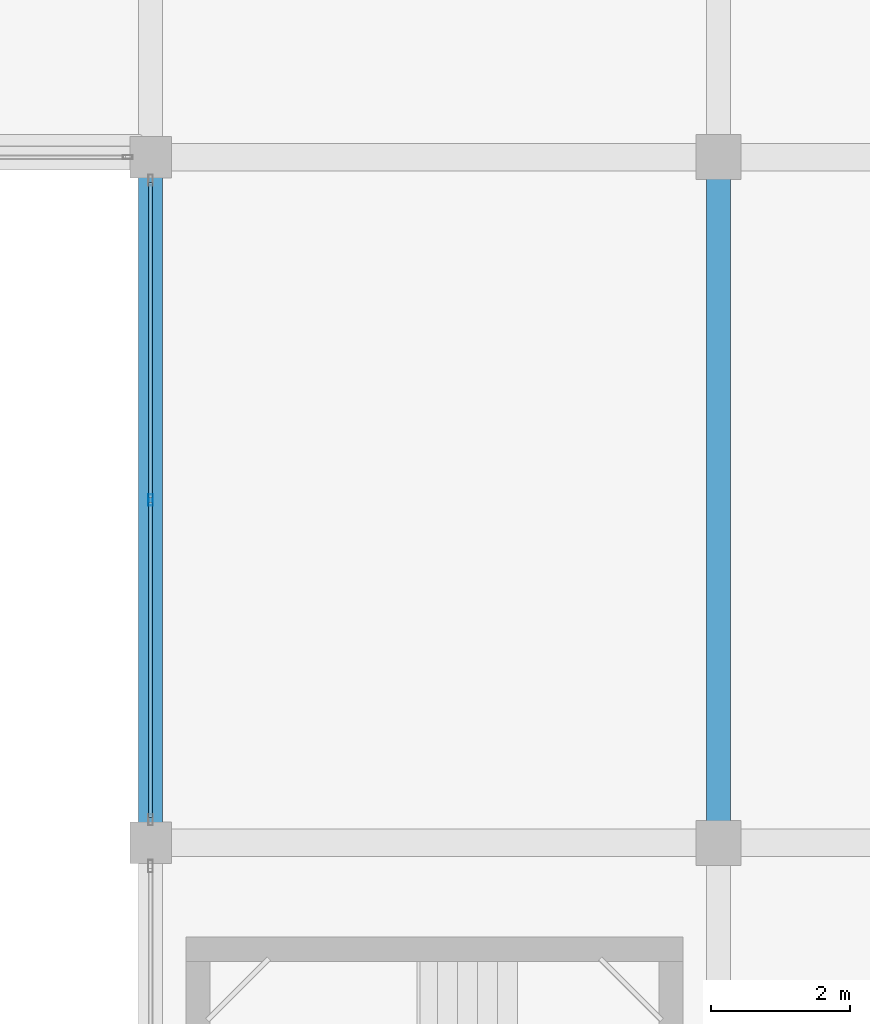
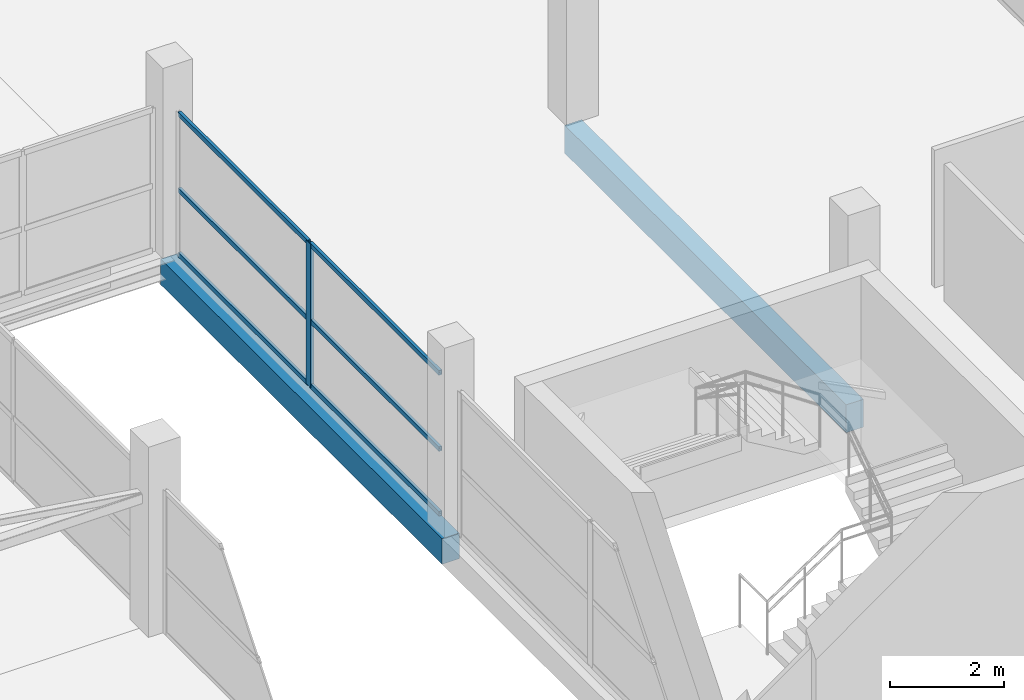
# One storey, part 37 of 70: 7 members, 2 beams, 1 element without a shape of its own.
"""IFC4 building model written with IfcOpenShell, lengths in metres."""

from ifc_helpers import new_model, si_unit, direction, frame, origin, origin_2d, place, context, subcontext, project, spatial, rectangle, hollow_rectangle, extrude, material, layer, layer_set, material_profile, profile_set, type_object, element, aggregate, save


model = new_model("IFC4")

# Units and contexts
model_context = context("Model", 3, precision=1e-05, world=origin(), true_north=direction((0.0, 1.0)))
body_context = subcontext(model_context, "Body", "Model", "MODEL_VIEW")
ifc_project = project(units=[si_unit("LENGTHUNIT", "METRE"), si_unit("AREAUNIT", "SQUARE_METRE"), si_unit("VOLUMEUNIT", "CUBIC_METRE"), si_unit("PLANEANGLEUNIT", "RADIAN"), si_unit("MASSUNIT", "GRAM", prefix="KILO")], contexts=[model_context])

# Site, building, storey
site_placement = place(None, origin())
site = spatial("IfcSite", under=ifc_project, at=site_placement, CompositionType="ELEMENT")
building_placement = place(site_placement, origin())
building = spatial("IfcBuilding", under=site, at=building_placement, Name="Sillaruma Civic Art Gallery", CompositionType="ELEMENT")
storey_placement = place(building_placement, frame((0.0, 0.0, 66.300048828125)))
storey = spatial("IfcBuildingStorey", under=building, at=storey_placement, Name="L13", CompositionType="ELEMENT", Elevation=66.300048828125)

# Beams
ifc_material_1 = material(Name="Concrete H35 (35 MPa)", Category="concrete")
ifc_material_profile_1 = material_profile(ifc_material_1, rectangle(XDim=0.35009765625, YDim=0.60009765625, at=origin_2d()), Name="RCB350x600")
ifc_profile_set_1 = profile_set([ifc_material_profile_1], Name="Concrete H35 (35 MPa)")
beam_type_1 = type_object("IfcBeamType", Name="BM-BEAM-RCB350x600", PredefinedType="BEAM", material=ifc_profile_set_1)
beam_1_placement = place(storey_placement, frame((106.199951171875, 59.39990234375, -0.530029296875), z_axis=(0.0, 1.0, 0.0), x_axis=(-1.0, 0.0, 0.0)))
element("IfcBeam", 1, at=beam_1_placement, inside=storey, type_object=beam_type_1, Name="Beam BM-06 (L12:M:7-8)", PredefinedType="BEAM", context=body_context, shape_type="SweptSolid", body=[
    extrude(rectangle(XDim=0.35009765625, YDim=0.60009765625, at=origin_2d()), origin(), (0.0, 0.0, 1.0), 9.900146484375),
])
ifc_material_profile_2 = material_profile(ifc_material_1, rectangle(XDim=0.35009765625, YDim=0.550048828125, at=origin_2d()), Name="RCB350x550")
ifc_profile_set_2 = profile_set([ifc_material_profile_2], Name="Concrete H35 (35 MPa)")
beam_type_2 = type_object("IfcBeamType", Name="BM-SPANDREL-RCB350x550", PredefinedType="SPANDREL", material=ifc_profile_set_2)
beam_2_placement = place(storey_placement, frame((98.0, 59.39990234375, -0.505126953125), z_axis=(0.0, 1.0, 0.0), x_axis=(-1.0, 0.0, 0.0)))
element("IfcBeam", 2, at=beam_2_placement, inside=storey, type_object=beam_type_2, Name="Beam BS-04 (L12:L:7-8)", PredefinedType="SPANDREL", context=body_context, shape_type="SweptSolid", body=[
    extrude(rectangle(XDim=0.35009765625, YDim=0.550048828125, at=origin_2d()), origin(), (0.0, 0.0, 1.0), 9.900146484375),
])

# Curtain wall, members
ifc_material_2 = material(Name="Thermally Broken Extruded Aluminium 6063-T6", Category="aluminium")
ifc_layer = layer(ifc_material_2, 0.159912109375, Name="Thermally Broken Extruded Aluminium 6063-T6")
ifc_layer_set = layer_set([ifc_layer], Name="Thermally Broken Extruded Aluminium 6063-T6")
curtain_wall_type = type_object("IfcCurtainWallType", Name="CW-UNI-97", PredefinedType="NOTDEFINED", material=ifc_layer_set)
curtain_wall_placement = place(storey_placement, origin())
curtain_wall = element("IfcCurtainWall", 3, at=curtain_wall_placement, inside=storey, type_object=curtain_wall_type, Name="Unitised Curtain Wall CW-97 (CW-L13-EBW-5)", PredefinedType="NOTDEFINED")
ifc_material_profile_3 = material_profile(ifc_material_2, hollow_rectangle(XDim=0.06494140625, YDim=0.159912109375, WallThickness=0.00390625, at=origin_2d()), Name="CWM65x160")
ifc_profile_set_3 = profile_set([ifc_material_profile_3], Name="Thermally Broken Extruded Aluminium 6063-T6")
member_type_1 = type_object("IfcMemberType", Name="MEM-MUL-CWM65x160", PredefinedType="MULLION", material=ifc_profile_set_3)
member_1_placement = place(storey_placement, frame((98.0, 64.35009765625, 0.0), z_axis=(0.0, 0.0, 1.0), x_axis=(-1.0, 0.0, 0.0)))
member_1 = element("IfcMember", 4, at=member_1_placement, type_object=member_type_1, Name="CW-97 mullion 2", PredefinedType="MULLION", context=body_context, shape_type="SweptSolid", body=[
    extrude(hollow_rectangle(XDim=0.06494140625, YDim=0.159912109375, WallThickness=0.00390625, at=origin_2d()), origin(), (0.0, 0.0, 1.0), 3.079833984375),
])
ifc_material_profile_4 = material_profile(ifc_material_2, hollow_rectangle(XDim=0.06005859375, YDim=0.10009765625, WallThickness=0.003173828125, at=origin_2d()), Name="CWT60x100")
ifc_profile_set_4 = profile_set([ifc_material_profile_4], Name="Thermally Broken Extruded Aluminium 6063-T6")
member_type_2 = type_object("IfcMemberType", Name="MEM-TRN-CWT60x100", PredefinedType="USERDEFINED", material=ifc_profile_set_4)
member_2_placement = place(storey_placement, frame((98.0, 59.764892578125, 0.030029296875), z_axis=(0.0, 1.0, 0.0), x_axis=(-1.0, 0.0, 0.0)))
member_2 = element("IfcMember", 5, at=member_2_placement, type_object=member_type_2, Name="CW-97 transom 1.1", ObjectType="TRANSOM", PredefinedType="USERDEFINED", context=body_context, shape_type="SweptSolid", body=[
    extrude(hollow_rectangle(XDim=0.06005859375, YDim=0.10009765625, WallThickness=0.003173828125, at=origin_2d()), origin(), (0.0, 0.0, 1.0), 4.552490234375),
])
member_3_placement = place(storey_placement, frame((98.0, 59.764892578125, 1.416748046875), z_axis=(0.0, 1.0, 0.0), x_axis=(-1.0, 0.0, 0.0)))
member_3 = element("IfcMember", 6, at=member_3_placement, type_object=member_type_2, Name="CW-97 transom 1.2", ObjectType="TRANSOM", PredefinedType="USERDEFINED", context=body_context, shape_type="SweptSolid", body=[
    extrude(hollow_rectangle(XDim=0.06005859375, YDim=0.10009765625, WallThickness=0.003173828125, at=origin_2d()), origin(), (0.0, 0.0, 1.0), 4.552490234375),
])
member_4_placement = place(storey_placement, frame((98.0, 59.764892578125, 3.050048828125), z_axis=(0.0, 1.0, 0.0), x_axis=(-1.0, 0.0, 0.0)))
member_4 = element("IfcMember", 7, at=member_4_placement, type_object=member_type_2, Name="CW-97 transom 1.3", ObjectType="TRANSOM", PredefinedType="USERDEFINED", context=body_context, shape_type="SweptSolid", body=[
    extrude(hollow_rectangle(XDim=0.06005859375, YDim=0.10009765625, WallThickness=0.003173828125, at=origin_2d()), origin(), (0.0, 0.0, 1.0), 4.552490234375),
])
member_5_placement = place(storey_placement, frame((98.0, 64.382568359375, 0.030029296875), z_axis=(0.0, 1.0, 0.0), x_axis=(-1.0, 0.0, 0.0)))
member_5 = element("IfcMember", 8, at=member_5_placement, type_object=member_type_2, Name="CW-97 transom 2.1", ObjectType="TRANSOM", PredefinedType="USERDEFINED", context=body_context, shape_type="SweptSolid", body=[
    extrude(hollow_rectangle(XDim=0.06005859375, YDim=0.10009765625, WallThickness=0.003173828125, at=origin_2d()), origin(), (0.0, 0.0, 1.0), 4.552490234375),
])
member_6_placement = place(storey_placement, frame((98.0, 64.382568359375, 1.416748046875), z_axis=(0.0, 1.0, 0.0), x_axis=(-1.0, 0.0, 0.0)))
member_6 = element("IfcMember", 9, at=member_6_placement, type_object=member_type_2, Name="CW-97 transom 2.2", ObjectType="TRANSOM", PredefinedType="USERDEFINED", context=body_context, shape_type="SweptSolid", body=[
    extrude(hollow_rectangle(XDim=0.06005859375, YDim=0.10009765625, WallThickness=0.003173828125, at=origin_2d()), origin(), (0.0, 0.0, 1.0), 4.552490234375),
])
member_7_placement = place(storey_placement, frame((98.0, 64.382568359375, 3.050048828125), z_axis=(0.0, 1.0, 0.0), x_axis=(-1.0, 0.0, 0.0)))
member_7 = element("IfcMember", 10, at=member_7_placement, type_object=member_type_2, Name="CW-97 transom 2.3", ObjectType="TRANSOM", PredefinedType="USERDEFINED", context=body_context, shape_type="SweptSolid", body=[
    extrude(hollow_rectangle(XDim=0.06005859375, YDim=0.10009765625, WallThickness=0.003173828125, at=origin_2d()), origin(), (0.0, 0.0, 1.0), 4.552490234375),
])
aggregate(curtain_wall, [member_1, member_2, member_3, member_4, member_5, member_6, member_7])

save(model, "model.ifc")
